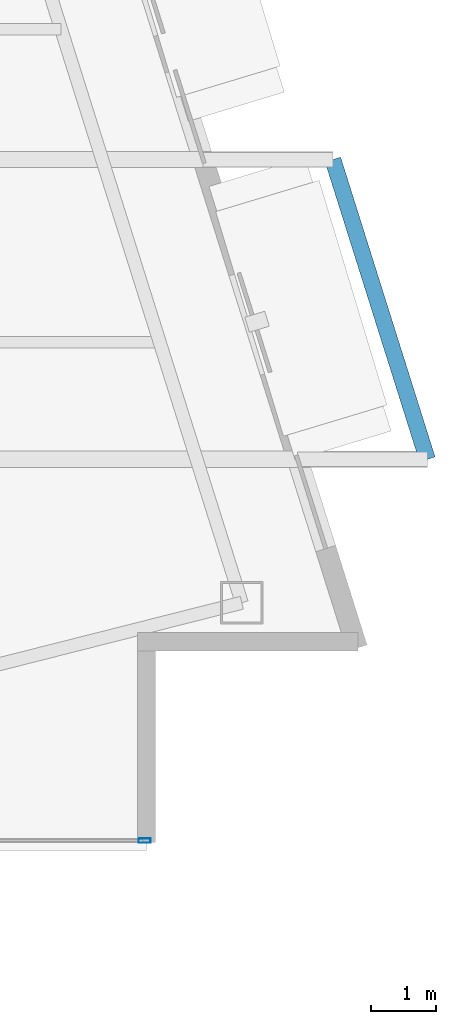
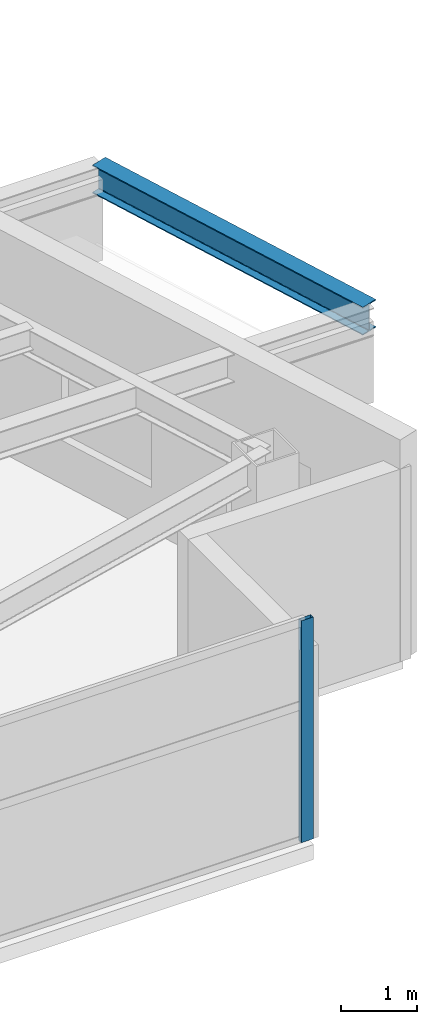
# One storey, part 14 of 29: 1 beam, 1 member, 1 element without a shape of its own.
"""IFC4 building model written with IfcOpenShell, lengths in metres."""

import ifcopenshell
import ifcopenshell.guid

model = None  # the IFC model being written
_history = None  # IfcOwnerHistory: only IFC2X3 demands one
_inside = {}  # id of a spatial element -> (the spatial element, [elements in it])
_under = {}  # id of a project, library or spatial element -> (it, [spatial elements below it])
_declared = {}  # id of a project -> (the project, [libraries it declares])
_typed = {}  # id of a type object -> (the type object, [elements of that type])
_made_of = {}  # id of a material, layer set ... -> (it, [elements and type objects made of it])


def new_model(schema):
    """Start an empty IFC model of exactly this schema.

    Asked for "IFC4X3", IfcOpenShell would pick the latest addendum, in which some entities
    have other attributes; the version numbers below select the first issue.
    IFC2X3 requires an IfcOwnerHistory on every rooted entity: one is made here for all.
    """
    global model, _history
    if schema == "IFC4X3":
        model = ifcopenshell.file(schema_version=(4, 3, 0, 0))
    else:
        model = ifcopenshell.file(schema=schema)
    _inside.clear()
    _under.clear()
    _declared.clear()
    _typed.clear()
    _made_of.clear()
    _history = None
    if model.schema == "IFC2X3":
        org = make("IfcOrganization", Name="unknown")
        user = make(
            "IfcPersonAndOrganization",
            ThePerson=make("IfcPerson", FamilyName="unknown"),
            TheOrganization=org,
        )
        app = make(
            "IfcApplication",
            ApplicationDeveloper=org,
            Version="unknown",
            ApplicationFullName="unknown",
            ApplicationIdentifier="unknown",
        )
        _history = make(
            "IfcOwnerHistory",
            OwningUser=user,
            OwningApplication=app,
            ChangeAction="ADDED",
            CreationDate=0,
        )
    return model


def make(cls, **values):
    """One entity of the class cls with the attributes given. An attribute that is None is left unset."""
    return model.create_entity(
        cls, **{name: value for name, value in values.items() if value is not None}
    )


def rooted(cls, **values):
    """An entity with a GlobalId (a new one), such as an element, a storey or a relation."""
    return make(cls, GlobalId=ifcopenshell.guid.new(), OwnerHistory=_history, **values)


def si_unit(unit_type, name, prefix=None):
    """IfcSIUnit, for example si_unit("LENGTHUNIT", "METRE", prefix="MILLI")."""
    return make("IfcSIUnit", UnitType=unit_type, Prefix=prefix, Name=name)


def assignment(units):
    """IfcUnitAssignment: the units of a project."""
    return None if units is None else make("IfcUnitAssignment", Units=units)


def point(xyz):
    """IfcCartesianPoint."""
    return None if xyz is None else make("IfcCartesianPoint", Coordinates=xyz)


def direction(xyz):
    """IfcDirection."""
    return None if xyz is None else make("IfcDirection", DirectionRatios=xyz)


def frame(location, z_axis=None, x_axis=None):
    """IfcAxis2Placement3D, a coordinate frame: its origin and axes. An axis left out is left unset."""
    return make(
        "IfcAxis2Placement3D",
        Location=point(location),
        Axis=direction(z_axis),
        RefDirection=direction(x_axis),
    )


def frame_2d(location, x_axis=None):
    """IfcAxis2Placement2D, a coordinate frame in the plane: its origin and x axis."""
    return make(
        "IfcAxis2Placement2D", Location=point(location), RefDirection=direction(x_axis)
    )


def origin():
    """The frame at (0, 0, 0) with its axes left unset."""
    return frame((0.0, 0.0, 0.0))


def origin_2d():
    """The frame at (0, 0) in the plane with its x axis left unset."""
    return frame_2d((0.0, 0.0))


def place(relative_to, where):
    """IfcLocalPlacement: puts the frame where relative to a parent placement (None: the world)."""
    return make(
        "IfcLocalPlacement", PlacementRelTo=relative_to, RelativePlacement=where
    )


def context(
    kind, dimensions, precision=None, world=None, true_north=None, identifier=None
):
    """IfcGeometricRepresentationContext, for example the 3D "Model" context."""
    return make(
        "IfcGeometricRepresentationContext",
        ContextIdentifier=identifier,
        ContextType=kind,
        CoordinateSpaceDimension=dimensions,
        Precision=precision,
        WorldCoordinateSystem=world,
        TrueNorth=true_north,
    )


def subcontext(parent, identifier, kind, view, scale=None):
    """IfcGeometricRepresentationSubContext, for example "Body" below "Model"."""
    return make(
        "IfcGeometricRepresentationSubContext",
        ContextIdentifier=identifier,
        ContextType=kind,
        ParentContext=parent,
        TargetScale=scale,
        TargetView=view,
    )


def project(units=None, contexts=None):
    """IfcProject with its units and contexts."""
    return rooted(
        "IfcProject",
        Name="project",
        RepresentationContexts=contexts,
        UnitsInContext=assignment(units),
    )


def spatial(cls, under=None, at=None, **own):
    """A site, building, storey or space (cls), placed at a placement, below another one or the project."""
    s = rooted(cls, ObjectPlacement=at, **own)
    if under is not None:
        _under.setdefault(under.id(), (under, []))[1].append(s)
    return s


def profile(cls, at=None, kind="AREA", **sizes):
    """A parametric profile (cls). Its sizes go by their IFC names, for example OverallWidth=200.0."""
    return make(cls, ProfileType=kind, Position=at, **sizes)


def hollow_rectangle(**sizes):
    """IfcRectangleHollowProfileDef."""
    return profile("IfcRectangleHollowProfileDef", **sizes)


def i_section(**sizes):
    """IfcIShapeProfileDef."""
    return profile("IfcIShapeProfileDef", **sizes)


def extrude(swept, where, along, depth):
    """IfcExtrudedAreaSolid: the profile swept, set in the frame where, extruded along a direction by depth."""
    return make(
        "IfcExtrudedAreaSolid",
        SweptArea=swept,
        Position=where,
        ExtrudedDirection=direction(along),
        Depth=depth,
    )


def shape(context_of_items, identifier, shape_type, items):
    """IfcShapeRepresentation: the items that make up one representation, for example the "Body"."""
    return make(
        "IfcShapeRepresentation",
        ContextOfItems=context_of_items,
        RepresentationIdentifier=identifier,
        RepresentationType=shape_type,
        Items=items,
    )


def material(Name=None, Category=None):
    """IfcMaterial."""
    return make("IfcMaterial", Name=Name, Category=Category)


def layer(
    of_material, thickness, ventilated=None, Name=None, Category=None, Priority=None
):
    """IfcMaterialLayer: one layer of a wall or slab, of a material (None: an air gap)."""
    return make(
        "IfcMaterialLayer",
        Material=of_material,
        LayerThickness=thickness,
        IsVentilated=ventilated,
        Name=Name,
        Category=Category,
        Priority=Priority,
    )


def layer_set(layers, Name=None):
    """IfcMaterialLayerSet."""
    return make("IfcMaterialLayerSet", MaterialLayers=layers, LayerSetName=Name)


def material_profile(
    of_material, cross_section, Name=None, Category=None, Priority=None
):
    """IfcMaterialProfile: a cross section and its material."""
    return make(
        "IfcMaterialProfile",
        Name=Name,
        Material=of_material,
        Profile=cross_section,
        Priority=Priority,
        Category=Category,
    )


def profile_set(profiles, Name=None, composite=None):
    """IfcMaterialProfileSet."""
    return make(
        "IfcMaterialProfileSet",
        Name=Name,
        MaterialProfiles=profiles,
        CompositeProfile=composite,
    )


def made_of(thing, what):
    """Note that an element or type object is made of a material, layer set ...; save() writes the relation."""
    if what is not None:
        _made_of.setdefault(what.id(), (what, []))[1].append(thing)
    return thing


def type_object(cls, material=None, **own):
    """A type object (cls), such as IfcWallType, which elements share."""
    return made_of(rooted(cls, **own), material)


def element(
    cls,
    number,
    at=None,
    inside=None,
    cuts=None,
    type_object=None,
    material=None,
    context=None,
    identifier="Body",
    shape_type=None,
    held_by="IfcProductDefinitionShape",
    body=None,
    shapes=None,
    **own,
):
    """One element of the class cls, such as IfcWall. Its Tag is "e" and its number.

    at: its placement. inside: the storey or other place that contains it. cuts: it is an
    opening in that element (IfcRelVoidsElement). A single representation is given by context,
    identifier, shape_type and body (its items); several are given by shapes. held_by: the class
    of the entity that holds the representations. save() writes the other relations.
    """
    e = rooted(cls, Tag="e%d" % number, ObjectPlacement=at, **own)
    if body is not None:
        shapes = [shape(context, identifier, shape_type, body)]
    if shapes is not None:
        e.Representation = make(held_by, Representations=shapes)
    if inside is not None:
        _inside.setdefault(inside.id(), (inside, []))[1].append(e)
    if cuts is not None:
        rooted(
            "IfcRelVoidsElement", RelatingBuildingElement=cuts, RelatedOpeningElement=e
        )
    if type_object is not None:
        _typed.setdefault(type_object.id(), (type_object, []))[1].append(e)
    return made_of(e, material)


def aggregate(whole, parts):
    """IfcRelAggregates: a whole, such as a stair, and the parts it consists of."""
    return rooted("IfcRelAggregates", RelatingObject=whole, RelatedObjects=parts)


def save(model, path):
    """Write the relations noted so far, then the file.

    IfcRelAggregates (storeys below a building ...), IfcRelContainedInSpatialStructure (elements
    in a storey), IfcRelDefinesByType, IfcRelAssociatesMaterial and IfcRelDeclares: one each for
    every whole, place, type object, material and project.
    """
    for whole, parts in _under.values():
        aggregate(whole, parts)
    for where, things in _inside.values():
        rooted(
            "IfcRelContainedInSpatialStructure",
            RelatedElements=things,
            RelatingStructure=where,
        )
    for kind, things in _typed.values():
        rooted("IfcRelDefinesByType", RelatedObjects=things, RelatingType=kind)
    for what, things in _made_of.values():
        rooted("IfcRelAssociatesMaterial", RelatedObjects=things, RelatingMaterial=what)
    for by, libraries in _declared.values():
        rooted("IfcRelDeclares", RelatingContext=by, RelatedDefinitions=libraries)
    model.write(path)


model = new_model("IFC4")

# Units and contexts
model_context = context("Model", 3, precision=1e-05, world=origin(), true_north=direction((0.0, 1.0)))
body_context = subcontext(model_context, "Body", "Model", "MODEL_VIEW")
ifc_project = project(units=[si_unit("LENGTHUNIT", "METRE"), si_unit("AREAUNIT", "SQUARE_METRE"), si_unit("VOLUMEUNIT", "CUBIC_METRE"), si_unit("PLANEANGLEUNIT", "RADIAN"), si_unit("MASSUNIT", "GRAM", prefix="KILO")], contexts=[model_context])

# Site, building, storey
site_placement = place(None, origin())
site = spatial("IfcSite", under=ifc_project, at=site_placement, CompositionType="ELEMENT")
building_placement = place(site_placement, origin())
building = spatial("IfcBuilding", under=site, at=building_placement, Name="Calvorn Quay Hotel", CompositionType="ELEMENT")
storey_placement = place(building_placement, frame((0.0, 0.0, 211.0)))
storey = spatial("IfcBuildingStorey", under=building, at=storey_placement, Name="L52", CompositionType="ELEMENT", Elevation=211.0)

# Beam
ifc_material_1 = material(Name="Steel Q355B", Category="steel")
ifc_material_profile_1 = material_profile(ifc_material_1, i_section(OverallWidth=0.25, OverallDepth=0.449951171875, WebThickness=0.011962890625, FlangeThickness=0.01611328125, FilletRadius=0.01611328125, at=origin_2d()), Name="HN450x250x12x16")
ifc_profile_set_1 = profile_set([ifc_material_profile_1], Name="Steel Q355B")
beam_type = type_object("IfcBeamType", Name="BM-CANT-BALC", PredefinedType="BEAM", material=ifc_profile_set_1)
beam_placement = place(storey_placement, frame((53.30810546875, 8.39990234375, 3.31494140625), z_axis=(-0.300666214801, 0.953729430854, 0.0), x_axis=(-0.953729430854, -0.300666214801, 0.0)))
element("IfcBeam", 1, at=beam_placement, inside=storey, type_object=beam_type, Name="Beam BCBO-L53-1", PredefinedType="BEAM", context=body_context, shape_type="SweptSolid", body=[
    extrude(i_section(OverallWidth=0.25, OverallDepth=0.449951171875, WebThickness=0.011962890625, FlangeThickness=0.01611328125, FilletRadius=0.01611328125, at=origin_2d()), origin(), (0.0, 0.0, 1.0), 4.8232421875),
])

# Curtain wall, member
ifc_material_2 = material(Name="Champagne Bronze Anodised Aluminium and Low-E Glass", Category="aluminium")
ifc_layer = layer(ifc_material_2, 0.219970703125)
ifc_layer_set = layer_set([ifc_layer], Name="CW-SYS-Z3")
curtain_wall_type = type_object("IfcCurtainWallType", Name="CW-SYS-Z3", PredefinedType="NOTDEFINED", material=ifc_layer_set)
curtain_wall_placement = place(storey_placement, origin())
curtain_wall = element("IfcCurtainWall", 2, at=curtain_wall_placement, inside=storey, type_object=curtain_wall_type, Name="Tower South Waterfront Curtain Wall (L52)", PredefinedType="NOTDEFINED")
ifc_material_3 = material(Name="Champagne Bronze Anodised Aluminium 6063-T6", Category="aluminium")
ifc_material_profile_2 = material_profile(ifc_material_3, hollow_rectangle(XDim=0.068115234375, YDim=0.18505859375, WallThickness=0.00390625, at=origin_2d()), Name="ALU-M185x68x4")
ifc_profile_set_2 = profile_set([ifc_material_profile_2], Name="Champagne Bronze Anodised Aluminium 6063-T6")
member_type = type_object("IfcMemberType", Name="CW-SYS-Z3-MUL", PredefinedType="MULLION", material=ifc_profile_set_2)
member_placement = place(storey_placement, frame((48.969970703125, 2.550048828125, 0.0), z_axis=(0.0, 0.0, 1.0), x_axis=(0.0, 1.0, 0.0)))
member = element("IfcMember", 3, at=member_placement, type_object=member_type, Name="CW-L52-S mullion 6", PredefinedType="MULLION", context=body_context, shape_type="SweptSolid", body=[
    extrude(hollow_rectangle(XDim=0.068115234375, YDim=0.18505859375, WallThickness=0.00390625, at=origin_2d()), origin(), (0.0, 0.0, 1.0), 3.56005859375),
])
aggregate(curtain_wall, [member])

save(model, "model.ifc")
